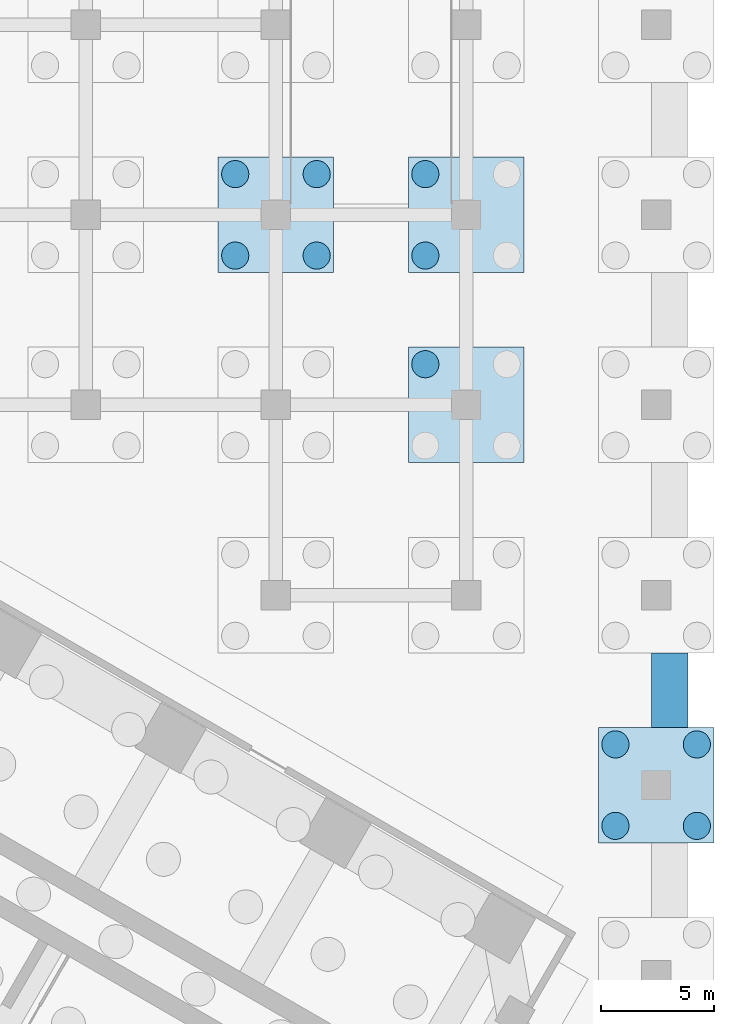
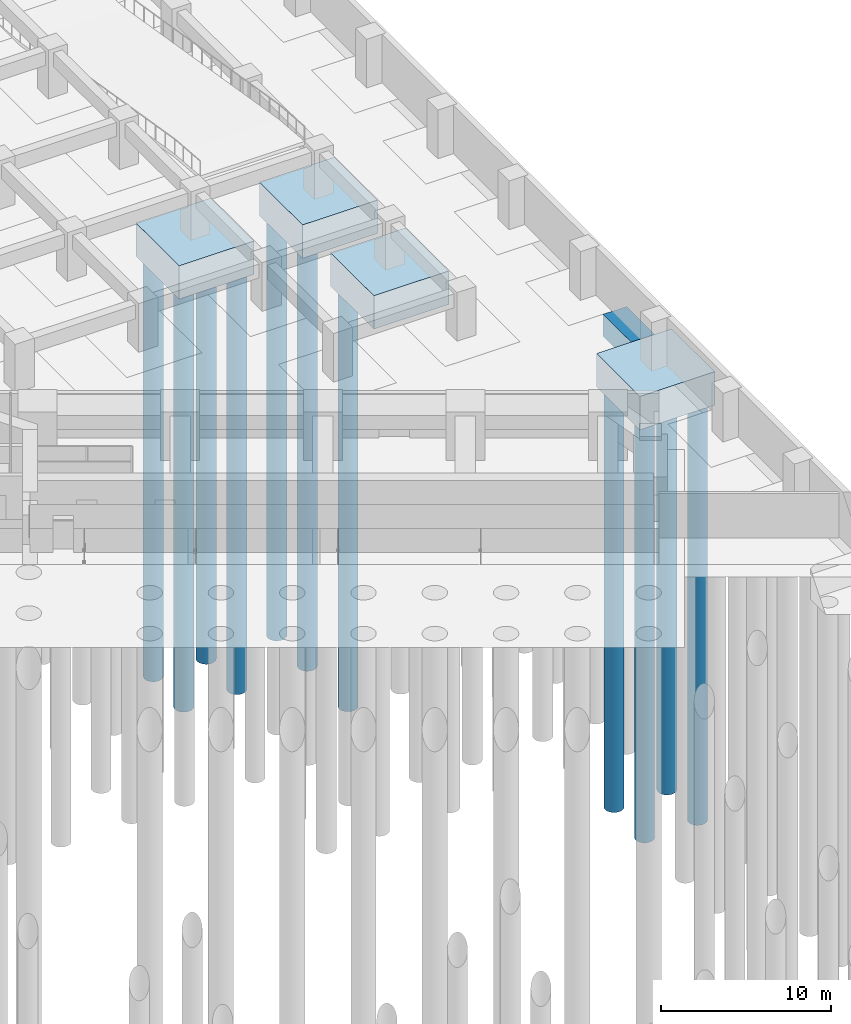
# One storey, part 29 of 73: 11 piles, 5 footings.
"""IFC4 building model written with IfcOpenShell, lengths in metres."""

import ifcopenshell
import ifcopenshell.guid

model = None  # the IFC model being written
_history = None  # IfcOwnerHistory: only IFC2X3 demands one
_inside = {}  # id of a spatial element -> (the spatial element, [elements in it])
_under = {}  # id of a project, library or spatial element -> (it, [spatial elements below it])
_declared = {}  # id of a project -> (the project, [libraries it declares])
_typed = {}  # id of a type object -> (the type object, [elements of that type])
_made_of = {}  # id of a material, layer set ... -> (it, [elements and type objects made of it])


def new_model(schema):
    """Start an empty IFC model of exactly this schema.

    Asked for "IFC4X3", IfcOpenShell would pick the latest addendum, in which some entities
    have other attributes; the version numbers below select the first issue.
    IFC2X3 requires an IfcOwnerHistory on every rooted entity: one is made here for all.
    """
    global model, _history
    if schema == "IFC4X3":
        model = ifcopenshell.file(schema_version=(4, 3, 0, 0))
    else:
        model = ifcopenshell.file(schema=schema)
    _inside.clear()
    _under.clear()
    _declared.clear()
    _typed.clear()
    _made_of.clear()
    _history = None
    if model.schema == "IFC2X3":
        org = make("IfcOrganization", Name="unknown")
        user = make(
            "IfcPersonAndOrganization",
            ThePerson=make("IfcPerson", FamilyName="unknown"),
            TheOrganization=org,
        )
        app = make(
            "IfcApplication",
            ApplicationDeveloper=org,
            Version="unknown",
            ApplicationFullName="unknown",
            ApplicationIdentifier="unknown",
        )
        _history = make(
            "IfcOwnerHistory",
            OwningUser=user,
            OwningApplication=app,
            ChangeAction="ADDED",
            CreationDate=0,
        )
    return model


def make(cls, **values):
    """One entity of the class cls with the attributes given. An attribute that is None is left unset."""
    return model.create_entity(
        cls, **{name: value for name, value in values.items() if value is not None}
    )


def rooted(cls, **values):
    """An entity with a GlobalId (a new one), such as an element, a storey or a relation."""
    return make(cls, GlobalId=ifcopenshell.guid.new(), OwnerHistory=_history, **values)


def si_unit(unit_type, name, prefix=None):
    """IfcSIUnit, for example si_unit("LENGTHUNIT", "METRE", prefix="MILLI")."""
    return make("IfcSIUnit", UnitType=unit_type, Prefix=prefix, Name=name)


def assignment(units):
    """IfcUnitAssignment: the units of a project."""
    return None if units is None else make("IfcUnitAssignment", Units=units)


def point(xyz):
    """IfcCartesianPoint."""
    return None if xyz is None else make("IfcCartesianPoint", Coordinates=xyz)


def direction(xyz):
    """IfcDirection."""
    return None if xyz is None else make("IfcDirection", DirectionRatios=xyz)


def frame(location, z_axis=None, x_axis=None):
    """IfcAxis2Placement3D, a coordinate frame: its origin and axes. An axis left out is left unset."""
    return make(
        "IfcAxis2Placement3D",
        Location=point(location),
        Axis=direction(z_axis),
        RefDirection=direction(x_axis),
    )


def frame_2d(location, x_axis=None):
    """IfcAxis2Placement2D, a coordinate frame in the plane: its origin and x axis."""
    return make(
        "IfcAxis2Placement2D", Location=point(location), RefDirection=direction(x_axis)
    )


def origin():
    """The frame at (0, 0, 0) with its axes left unset."""
    return frame((0.0, 0.0, 0.0))


def origin_2d():
    """The frame at (0, 0) in the plane with its x axis left unset."""
    return frame_2d((0.0, 0.0))


def place(relative_to, where):
    """IfcLocalPlacement: puts the frame where relative to a parent placement (None: the world)."""
    return make(
        "IfcLocalPlacement", PlacementRelTo=relative_to, RelativePlacement=where
    )


def context(
    kind, dimensions, precision=None, world=None, true_north=None, identifier=None
):
    """IfcGeometricRepresentationContext, for example the 3D "Model" context."""
    return make(
        "IfcGeometricRepresentationContext",
        ContextIdentifier=identifier,
        ContextType=kind,
        CoordinateSpaceDimension=dimensions,
        Precision=precision,
        WorldCoordinateSystem=world,
        TrueNorth=true_north,
    )


def subcontext(parent, identifier, kind, view, scale=None):
    """IfcGeometricRepresentationSubContext, for example "Body" below "Model"."""
    return make(
        "IfcGeometricRepresentationSubContext",
        ContextIdentifier=identifier,
        ContextType=kind,
        ParentContext=parent,
        TargetScale=scale,
        TargetView=view,
    )


def project(units=None, contexts=None):
    """IfcProject with its units and contexts."""
    return rooted(
        "IfcProject",
        Name="project",
        RepresentationContexts=contexts,
        UnitsInContext=assignment(units),
    )


def spatial(cls, under=None, at=None, **own):
    """A site, building, storey or space (cls), placed at a placement, below another one or the project."""
    s = rooted(cls, ObjectPlacement=at, **own)
    if under is not None:
        _under.setdefault(under.id(), (under, []))[1].append(s)
    return s


def polyline(points):
    """IfcPolyline through the points."""
    return make("IfcPolyline", Points=[point(p) for p in points])


def profile(cls, at=None, kind="AREA", **sizes):
    """A parametric profile (cls). Its sizes go by their IFC names, for example OverallWidth=200.0."""
    return make(cls, ProfileType=kind, Position=at, **sizes)


def circle(**sizes):
    """IfcCircleProfileDef."""
    return profile("IfcCircleProfileDef", **sizes)


def outline(outer, holes=None, kind="AREA"):
    """IfcArbitraryClosedProfileDef: a profile drawn as a closed curve; with holes, ...WithVoids."""
    if holes is None:
        return make("IfcArbitraryClosedProfileDef", ProfileType=kind, OuterCurve=outer)
    return make(
        "IfcArbitraryProfileDefWithVoids",
        ProfileType=kind,
        OuterCurve=outer,
        InnerCurves=holes,
    )


def extrude(swept, where, along, depth):
    """IfcExtrudedAreaSolid: the profile swept, set in the frame where, extruded along a direction by depth."""
    return make(
        "IfcExtrudedAreaSolid",
        SweptArea=swept,
        Position=where,
        ExtrudedDirection=direction(along),
        Depth=depth,
    )


def shape(context_of_items, identifier, shape_type, items):
    """IfcShapeRepresentation: the items that make up one representation, for example the "Body"."""
    return make(
        "IfcShapeRepresentation",
        ContextOfItems=context_of_items,
        RepresentationIdentifier=identifier,
        RepresentationType=shape_type,
        Items=items,
    )


def material(Name=None, Category=None):
    """IfcMaterial."""
    return make("IfcMaterial", Name=Name, Category=Category)


def material_profile(
    of_material, cross_section, Name=None, Category=None, Priority=None
):
    """IfcMaterialProfile: a cross section and its material."""
    return make(
        "IfcMaterialProfile",
        Name=Name,
        Material=of_material,
        Profile=cross_section,
        Priority=Priority,
        Category=Category,
    )


def profile_set(profiles, Name=None, composite=None):
    """IfcMaterialProfileSet."""
    return make(
        "IfcMaterialProfileSet",
        Name=Name,
        MaterialProfiles=profiles,
        CompositeProfile=composite,
    )


def made_of(thing, what):
    """Note that an element or type object is made of a material, layer set ...; save() writes the relation."""
    if what is not None:
        _made_of.setdefault(what.id(), (what, []))[1].append(thing)
    return thing


def type_object(cls, material=None, **own):
    """A type object (cls), such as IfcWallType, which elements share."""
    return made_of(rooted(cls, **own), material)


def element(
    cls,
    number,
    at=None,
    inside=None,
    cuts=None,
    type_object=None,
    material=None,
    context=None,
    identifier="Body",
    shape_type=None,
    held_by="IfcProductDefinitionShape",
    body=None,
    shapes=None,
    **own,
):
    """One element of the class cls, such as IfcWall. Its Tag is "e" and its number.

    at: its placement. inside: the storey or other place that contains it. cuts: it is an
    opening in that element (IfcRelVoidsElement). A single representation is given by context,
    identifier, shape_type and body (its items); several are given by shapes. held_by: the class
    of the entity that holds the representations. save() writes the other relations.
    """
    e = rooted(cls, Tag="e%d" % number, ObjectPlacement=at, **own)
    if body is not None:
        shapes = [shape(context, identifier, shape_type, body)]
    if shapes is not None:
        e.Representation = make(held_by, Representations=shapes)
    if inside is not None:
        _inside.setdefault(inside.id(), (inside, []))[1].append(e)
    if cuts is not None:
        rooted(
            "IfcRelVoidsElement", RelatingBuildingElement=cuts, RelatedOpeningElement=e
        )
    if type_object is not None:
        _typed.setdefault(type_object.id(), (type_object, []))[1].append(e)
    return made_of(e, material)


def aggregate(whole, parts):
    """IfcRelAggregates: a whole, such as a stair, and the parts it consists of."""
    return rooted("IfcRelAggregates", RelatingObject=whole, RelatedObjects=parts)


def save(model, path):
    """Write the relations noted so far, then the file.

    IfcRelAggregates (storeys below a building ...), IfcRelContainedInSpatialStructure (elements
    in a storey), IfcRelDefinesByType, IfcRelAssociatesMaterial and IfcRelDeclares: one each for
    every whole, place, type object, material and project.
    """
    for whole, parts in _under.values():
        aggregate(whole, parts)
    for where, things in _inside.values():
        rooted(
            "IfcRelContainedInSpatialStructure",
            RelatedElements=things,
            RelatingStructure=where,
        )
    for kind, things in _typed.values():
        rooted("IfcRelDefinesByType", RelatedObjects=things, RelatingType=kind)
    for what, things in _made_of.values():
        rooted("IfcRelAssociatesMaterial", RelatedObjects=things, RelatingMaterial=what)
    for by, libraries in _declared.values():
        rooted("IfcRelDeclares", RelatingContext=by, RelatedDefinitions=libraries)
    model.write(path)


model = new_model("IFC4")

# Units and contexts
model_context = context("Model", 3, precision=1e-05, world=origin(), true_north=direction((0.0, 1.0)))
body_context = subcontext(model_context, "Body", "Model", "MODEL_VIEW")
ifc_project = project(units=[si_unit("LENGTHUNIT", "METRE"), si_unit("AREAUNIT", "SQUARE_METRE"), si_unit("VOLUMEUNIT", "CUBIC_METRE"), si_unit("PLANEANGLEUNIT", "RADIAN"), si_unit("MASSUNIT", "GRAM", prefix="KILO")], contexts=[model_context])

# Site, building, storey
site_placement = place(None, origin())
site = spatial("IfcSite", under=ifc_project, at=site_placement, CompositionType="ELEMENT")
building_placement = place(site_placement, origin())
building = spatial("IfcBuilding", under=site, at=building_placement, Name="Impinga Residences", CompositionType="ELEMENT")
storey_placement = place(building_placement, frame((0.0, 0.0, -10.5)))
storey = spatial("IfcBuildingStorey", under=building, at=storey_placement, Name="B3", CompositionType="ELEMENT", Elevation=-10.5)

# Piles
ifc_material_1 = material(Name="Concrete C35/45", Category="concrete")
ifc_material_profile = material_profile(ifc_material_1, circle(Radius=0.60009765625, at=origin_2d()), Name="D1200")
ifc_profile_set = profile_set([ifc_material_profile], Name="Concrete C35/45")
pile_type = type_object("IfcPileType", Name="BP2 bored pile D1200", PredefinedType="BORED", material=ifc_profile_set)
pile_1_placement = place(storey_placement, frame((31.800048828125, 15.0, -2.39990234375), z_axis=(0.0, 0.0, -1.0), x_axis=(1.0, 0.0, 0.0)))
element("IfcPile", 1, at=pile_1_placement, inside=storey, type_object=pile_type, Name="Cap pile BP2 11/H-1", PredefinedType="BORED", context=body_context, shape_type="SweptSolid", body=[
    extrude(outline(polyline([(0.60009765625, 0.0), (0.59716796875, 0.058837890625), (0.58837890625, 0.116943359375), (0.57421875, 0.174072265625), (0.554443359375, 0.2294921875), (0.529052734375, 0.282958984375), (0.498779296875, 0.333251953125), (0.4638671875, 0.380615234375), (0.42431640625, 0.42431640625), (0.380615234375, 0.4638671875), (0.333251953125, 0.498779296875), (0.282958984375, 0.529052734375), (0.2294921875, 0.554443359375), (0.174072265625, 0.57421875), (0.116943359375, 0.58837890625), (0.058837890625, 0.59716796875), (0.0, 0.60009765625), (-0.058837890625, 0.59716796875), (-0.116943359375, 0.58837890625), (-0.174072265625, 0.57421875), (-0.2294921875, 0.554443359375), (-0.282958984375, 0.529052734375), (-0.333251953125, 0.498779296875), (-0.380615234375, 0.4638671875), (-0.42431640625, 0.42431640625), (-0.4638671875, 0.380615234375), (-0.498779296875, 0.333251953125), (-0.529052734375, 0.282958984375), (-0.554443359375, 0.2294921875), (-0.57421875, 0.174072265625), (-0.58837890625, 0.116943359375), (-0.59716796875, 0.058837890625), (-0.60009765625, 0.0), (-0.59716796875, -0.058837890625), (-0.58837890625, -0.116943359375), (-0.57421875, -0.174072265625), (-0.554443359375, -0.2294921875), (-0.529052734375, -0.282958984375), (-0.498779296875, -0.333251953125), (-0.4638671875, -0.380615234375), (-0.42431640625, -0.42431640625), (-0.380615234375, -0.4638671875), (-0.333251953125, -0.498779296875), (-0.282958984375, -0.529052734375), (-0.2294921875, -0.554443359375), (-0.174072265625, -0.57421875), (-0.116943359375, -0.58837890625), (-0.058837890625, -0.59716796875), (0.0, -0.60009765625), (0.058837890625, -0.59716796875), (0.116943359375, -0.58837890625), (0.174072265625, -0.57421875), (0.2294921875, -0.554443359375), (0.282958984375, -0.529052734375), (0.333251953125, -0.498779296875), (0.380615234375, -0.4638671875), (0.42431640625, -0.42431640625), (0.4638671875, -0.380615234375), (0.498779296875, -0.333251953125), (0.529052734375, -0.282958984375), (0.554443359375, -0.2294921875), (0.57421875, -0.174072265625), (0.58837890625, -0.116943359375), (0.59716796875, -0.058837890625), (0.60009765625, 0.0)])), origin(), (0.0, 0.0, 1.0), 30.0),
])
pile_2_placement = place(storey_placement, frame((35.39990234375, 15.0, -2.39990234375), z_axis=(0.0, 0.0, -1.0), x_axis=(1.0, 0.0, 0.0)))
element("IfcPile", 2, at=pile_2_placement, inside=storey, type_object=pile_type, Name="Cap pile BP2 11/H-2", PredefinedType="BORED", context=body_context, shape_type="SweptSolid", body=[
    extrude(outline(polyline([(0.60009765625, 0.0), (0.59716796875, 0.058837890625), (0.58837890625, 0.116943359375), (0.57421875, 0.174072265625), (0.554443359375, 0.2294921875), (0.529052734375, 0.282958984375), (0.498779296875, 0.333251953125), (0.4638671875, 0.380615234375), (0.42431640625, 0.42431640625), (0.380615234375, 0.4638671875), (0.333251953125, 0.498779296875), (0.282958984375, 0.529052734375), (0.2294921875, 0.554443359375), (0.174072265625, 0.57421875), (0.116943359375, 0.58837890625), (0.058837890625, 0.59716796875), (0.0, 0.60009765625), (-0.058837890625, 0.59716796875), (-0.116943359375, 0.58837890625), (-0.174072265625, 0.57421875), (-0.2294921875, 0.554443359375), (-0.282958984375, 0.529052734375), (-0.333251953125, 0.498779296875), (-0.380615234375, 0.4638671875), (-0.42431640625, 0.42431640625), (-0.4638671875, 0.380615234375), (-0.498779296875, 0.333251953125), (-0.529052734375, 0.282958984375), (-0.554443359375, 0.2294921875), (-0.57421875, 0.174072265625), (-0.58837890625, 0.116943359375), (-0.59716796875, 0.058837890625), (-0.60009765625, 0.0), (-0.59716796875, -0.058837890625), (-0.58837890625, -0.116943359375), (-0.57421875, -0.174072265625), (-0.554443359375, -0.2294921875), (-0.529052734375, -0.282958984375), (-0.498779296875, -0.333251953125), (-0.4638671875, -0.380615234375), (-0.42431640625, -0.42431640625), (-0.380615234375, -0.4638671875), (-0.333251953125, -0.498779296875), (-0.282958984375, -0.529052734375), (-0.2294921875, -0.554443359375), (-0.174072265625, -0.57421875), (-0.116943359375, -0.58837890625), (-0.058837890625, -0.59716796875), (0.0, -0.60009765625), (0.058837890625, -0.59716796875), (0.116943359375, -0.58837890625), (0.174072265625, -0.57421875), (0.2294921875, -0.554443359375), (0.282958984375, -0.529052734375), (0.333251953125, -0.498779296875), (0.380615234375, -0.4638671875), (0.42431640625, -0.42431640625), (0.4638671875, -0.380615234375), (0.498779296875, -0.333251953125), (0.529052734375, -0.282958984375), (0.554443359375, -0.2294921875), (0.57421875, -0.174072265625), (0.58837890625, -0.116943359375), (0.59716796875, -0.058837890625), (0.60009765625, 0.0)])), origin(), (0.0, 0.0, 1.0), 30.0),
])
pile_3_placement = place(storey_placement, frame((35.39990234375, 18.60009765625, -2.39990234375), z_axis=(0.0, 0.0, -1.0), x_axis=(1.0, 0.0, 0.0)))
element("IfcPile", 3, at=pile_3_placement, inside=storey, type_object=pile_type, Name="Cap pile BP2 11/H-3", PredefinedType="BORED", context=body_context, shape_type="SweptSolid", body=[
    extrude(outline(polyline([(0.60009765625, 0.0), (0.59716796875, 0.058837890625), (0.58837890625, 0.116943359375), (0.57421875, 0.174072265625), (0.554443359375, 0.2294921875), (0.529052734375, 0.282958984375), (0.498779296875, 0.333251953125), (0.4638671875, 0.380615234375), (0.42431640625, 0.42431640625), (0.380615234375, 0.4638671875), (0.333251953125, 0.498779296875), (0.282958984375, 0.529052734375), (0.2294921875, 0.554443359375), (0.174072265625, 0.57421875), (0.116943359375, 0.58837890625), (0.058837890625, 0.59716796875), (0.0, 0.60009765625), (-0.058837890625, 0.59716796875), (-0.116943359375, 0.58837890625), (-0.174072265625, 0.57421875), (-0.2294921875, 0.554443359375), (-0.282958984375, 0.529052734375), (-0.333251953125, 0.498779296875), (-0.380615234375, 0.4638671875), (-0.42431640625, 0.42431640625), (-0.4638671875, 0.380615234375), (-0.498779296875, 0.333251953125), (-0.529052734375, 0.282958984375), (-0.554443359375, 0.2294921875), (-0.57421875, 0.174072265625), (-0.58837890625, 0.116943359375), (-0.59716796875, 0.058837890625), (-0.60009765625, 0.0), (-0.59716796875, -0.058837890625), (-0.58837890625, -0.116943359375), (-0.57421875, -0.174072265625), (-0.554443359375, -0.2294921875), (-0.529052734375, -0.282958984375), (-0.498779296875, -0.333251953125), (-0.4638671875, -0.380615234375), (-0.42431640625, -0.42431640625), (-0.380615234375, -0.4638671875), (-0.333251953125, -0.498779296875), (-0.282958984375, -0.529052734375), (-0.2294921875, -0.554443359375), (-0.174072265625, -0.57421875), (-0.116943359375, -0.58837890625), (-0.058837890625, -0.59716796875), (0.0, -0.60009765625), (0.058837890625, -0.59716796875), (0.116943359375, -0.58837890625), (0.174072265625, -0.57421875), (0.2294921875, -0.554443359375), (0.282958984375, -0.529052734375), (0.333251953125, -0.498779296875), (0.380615234375, -0.4638671875), (0.42431640625, -0.42431640625), (0.4638671875, -0.380615234375), (0.498779296875, -0.333251953125), (0.529052734375, -0.282958984375), (0.554443359375, -0.2294921875), (0.57421875, -0.174072265625), (0.58837890625, -0.116943359375), (0.59716796875, -0.058837890625), (0.60009765625, 0.0)])), origin(), (0.0, 0.0, 1.0), 30.0),
])
pile_4_placement = place(storey_placement, frame((31.800048828125, 18.60009765625, -2.39990234375), z_axis=(0.0, 0.0, -1.0), x_axis=(1.0, 0.0, 0.0)))
element("IfcPile", 4, at=pile_4_placement, inside=storey, type_object=pile_type, Name="Cap pile BP2 11/H-4", PredefinedType="BORED", context=body_context, shape_type="SweptSolid", body=[
    extrude(outline(polyline([(0.60009765625, 0.0), (0.59716796875, 0.058837890625), (0.58837890625, 0.116943359375), (0.57421875, 0.174072265625), (0.554443359375, 0.2294921875), (0.529052734375, 0.282958984375), (0.498779296875, 0.333251953125), (0.4638671875, 0.380615234375), (0.42431640625, 0.42431640625), (0.380615234375, 0.4638671875), (0.333251953125, 0.498779296875), (0.282958984375, 0.529052734375), (0.2294921875, 0.554443359375), (0.174072265625, 0.57421875), (0.116943359375, 0.58837890625), (0.058837890625, 0.59716796875), (0.0, 0.60009765625), (-0.058837890625, 0.59716796875), (-0.116943359375, 0.58837890625), (-0.174072265625, 0.57421875), (-0.2294921875, 0.554443359375), (-0.282958984375, 0.529052734375), (-0.333251953125, 0.498779296875), (-0.380615234375, 0.4638671875), (-0.42431640625, 0.42431640625), (-0.4638671875, 0.380615234375), (-0.498779296875, 0.333251953125), (-0.529052734375, 0.282958984375), (-0.554443359375, 0.2294921875), (-0.57421875, 0.174072265625), (-0.58837890625, 0.116943359375), (-0.59716796875, 0.058837890625), (-0.60009765625, 0.0), (-0.59716796875, -0.058837890625), (-0.58837890625, -0.116943359375), (-0.57421875, -0.174072265625), (-0.554443359375, -0.2294921875), (-0.529052734375, -0.282958984375), (-0.498779296875, -0.333251953125), (-0.4638671875, -0.380615234375), (-0.42431640625, -0.42431640625), (-0.380615234375, -0.4638671875), (-0.333251953125, -0.498779296875), (-0.282958984375, -0.529052734375), (-0.2294921875, -0.554443359375), (-0.174072265625, -0.57421875), (-0.116943359375, -0.58837890625), (-0.058837890625, -0.59716796875), (0.0, -0.60009765625), (0.058837890625, -0.59716796875), (0.116943359375, -0.58837890625), (0.174072265625, -0.57421875), (0.2294921875, -0.554443359375), (0.282958984375, -0.529052734375), (0.333251953125, -0.498779296875), (0.380615234375, -0.4638671875), (0.42431640625, -0.42431640625), (0.4638671875, -0.380615234375), (0.498779296875, -0.333251953125), (0.529052734375, -0.282958984375), (0.554443359375, -0.2294921875), (0.57421875, -0.174072265625), (0.58837890625, -0.116943359375), (0.59716796875, -0.058837890625), (0.60009765625, 0.0)])), origin(), (0.0, 0.0, 1.0), 30.0),
])
pile_5_placement = place(storey_placement, frame((40.199951171875, 10.199951171875, -2.39990234375), z_axis=(0.0, 0.0, -1.0), x_axis=(1.0, 0.0, 0.0)))
element("IfcPile", 5, at=pile_5_placement, inside=storey, type_object=pile_type, Name="Cap pile BP2 12/G-4", PredefinedType="BORED", context=body_context, shape_type="SweptSolid", body=[
    extrude(outline(polyline([(0.60009765625, 0.0), (0.59716796875, 0.058837890625), (0.58837890625, 0.116943359375), (0.57421875, 0.174072265625), (0.554443359375, 0.2294921875), (0.529052734375, 0.282958984375), (0.498779296875, 0.333251953125), (0.4638671875, 0.380615234375), (0.42431640625, 0.42431640625), (0.380615234375, 0.4638671875), (0.333251953125, 0.498779296875), (0.282958984375, 0.529052734375), (0.2294921875, 0.554443359375), (0.174072265625, 0.57421875), (0.116943359375, 0.58837890625), (0.058837890625, 0.59716796875), (0.0, 0.60009765625), (-0.058837890625, 0.59716796875), (-0.116943359375, 0.58837890625), (-0.174072265625, 0.57421875), (-0.2294921875, 0.554443359375), (-0.282958984375, 0.529052734375), (-0.333251953125, 0.498779296875), (-0.380615234375, 0.4638671875), (-0.42431640625, 0.42431640625), (-0.4638671875, 0.380615234375), (-0.498779296875, 0.333251953125), (-0.529052734375, 0.282958984375), (-0.554443359375, 0.2294921875), (-0.57421875, 0.174072265625), (-0.58837890625, 0.116943359375), (-0.59716796875, 0.058837890625), (-0.60009765625, 0.0), (-0.59716796875, -0.058837890625), (-0.58837890625, -0.116943359375), (-0.57421875, -0.174072265625), (-0.554443359375, -0.2294921875), (-0.529052734375, -0.282958984375), (-0.498779296875, -0.333251953125), (-0.4638671875, -0.380615234375), (-0.42431640625, -0.42431640625), (-0.380615234375, -0.4638671875), (-0.333251953125, -0.498779296875), (-0.282958984375, -0.529052734375), (-0.2294921875, -0.554443359375), (-0.174072265625, -0.57421875), (-0.116943359375, -0.58837890625), (-0.058837890625, -0.59716796875), (0.0, -0.60009765625), (0.058837890625, -0.59716796875), (0.116943359375, -0.58837890625), (0.174072265625, -0.57421875), (0.2294921875, -0.554443359375), (0.282958984375, -0.529052734375), (0.333251953125, -0.498779296875), (0.380615234375, -0.4638671875), (0.42431640625, -0.42431640625), (0.4638671875, -0.380615234375), (0.498779296875, -0.333251953125), (0.529052734375, -0.282958984375), (0.554443359375, -0.2294921875), (0.57421875, -0.174072265625), (0.58837890625, -0.116943359375), (0.59716796875, -0.058837890625), (0.60009765625, 0.0)])), origin(), (0.0, 0.0, 1.0), 30.0),
])
pile_6_placement = place(storey_placement, frame((40.199951171875, 15.0, -2.39990234375), z_axis=(0.0, 0.0, -1.0), x_axis=(1.0, 0.0, 0.0)))
element("IfcPile", 6, at=pile_6_placement, inside=storey, type_object=pile_type, Name="Cap pile BP2 12/H-1", PredefinedType="BORED", context=body_context, shape_type="SweptSolid", body=[
    extrude(outline(polyline([(0.60009765625, 0.0), (0.59716796875, 0.058837890625), (0.58837890625, 0.116943359375), (0.57421875, 0.174072265625), (0.554443359375, 0.2294921875), (0.529052734375, 0.282958984375), (0.498779296875, 0.333251953125), (0.4638671875, 0.380615234375), (0.42431640625, 0.42431640625), (0.380615234375, 0.4638671875), (0.333251953125, 0.498779296875), (0.282958984375, 0.529052734375), (0.2294921875, 0.554443359375), (0.174072265625, 0.57421875), (0.116943359375, 0.58837890625), (0.058837890625, 0.59716796875), (0.0, 0.60009765625), (-0.058837890625, 0.59716796875), (-0.116943359375, 0.58837890625), (-0.174072265625, 0.57421875), (-0.2294921875, 0.554443359375), (-0.282958984375, 0.529052734375), (-0.333251953125, 0.498779296875), (-0.380615234375, 0.4638671875), (-0.42431640625, 0.42431640625), (-0.4638671875, 0.380615234375), (-0.498779296875, 0.333251953125), (-0.529052734375, 0.282958984375), (-0.554443359375, 0.2294921875), (-0.57421875, 0.174072265625), (-0.58837890625, 0.116943359375), (-0.59716796875, 0.058837890625), (-0.60009765625, 0.0), (-0.59716796875, -0.058837890625), (-0.58837890625, -0.116943359375), (-0.57421875, -0.174072265625), (-0.554443359375, -0.2294921875), (-0.529052734375, -0.282958984375), (-0.498779296875, -0.333251953125), (-0.4638671875, -0.380615234375), (-0.42431640625, -0.42431640625), (-0.380615234375, -0.4638671875), (-0.333251953125, -0.498779296875), (-0.282958984375, -0.529052734375), (-0.2294921875, -0.554443359375), (-0.174072265625, -0.57421875), (-0.116943359375, -0.58837890625), (-0.058837890625, -0.59716796875), (0.0, -0.60009765625), (0.058837890625, -0.59716796875), (0.116943359375, -0.58837890625), (0.174072265625, -0.57421875), (0.2294921875, -0.554443359375), (0.282958984375, -0.529052734375), (0.333251953125, -0.498779296875), (0.380615234375, -0.4638671875), (0.42431640625, -0.42431640625), (0.4638671875, -0.380615234375), (0.498779296875, -0.333251953125), (0.529052734375, -0.282958984375), (0.554443359375, -0.2294921875), (0.57421875, -0.174072265625), (0.58837890625, -0.116943359375), (0.59716796875, -0.058837890625), (0.60009765625, 0.0)])), origin(), (0.0, 0.0, 1.0), 30.0),
])
pile_7_placement = place(storey_placement, frame((40.199951171875, 18.60009765625, -2.39990234375), z_axis=(0.0, 0.0, -1.0), x_axis=(1.0, 0.0, 0.0)))
element("IfcPile", 7, at=pile_7_placement, inside=storey, type_object=pile_type, Name="Cap pile BP2 12/H-4", PredefinedType="BORED", context=body_context, shape_type="SweptSolid", body=[
    extrude(outline(polyline([(0.60009765625, 0.0), (0.59716796875, 0.058837890625), (0.58837890625, 0.116943359375), (0.57421875, 0.174072265625), (0.554443359375, 0.2294921875), (0.529052734375, 0.282958984375), (0.498779296875, 0.333251953125), (0.4638671875, 0.380615234375), (0.42431640625, 0.42431640625), (0.380615234375, 0.4638671875), (0.333251953125, 0.498779296875), (0.282958984375, 0.529052734375), (0.2294921875, 0.554443359375), (0.174072265625, 0.57421875), (0.116943359375, 0.58837890625), (0.058837890625, 0.59716796875), (0.0, 0.60009765625), (-0.058837890625, 0.59716796875), (-0.116943359375, 0.58837890625), (-0.174072265625, 0.57421875), (-0.2294921875, 0.554443359375), (-0.282958984375, 0.529052734375), (-0.333251953125, 0.498779296875), (-0.380615234375, 0.4638671875), (-0.42431640625, 0.42431640625), (-0.4638671875, 0.380615234375), (-0.498779296875, 0.333251953125), (-0.529052734375, 0.282958984375), (-0.554443359375, 0.2294921875), (-0.57421875, 0.174072265625), (-0.58837890625, 0.116943359375), (-0.59716796875, 0.058837890625), (-0.60009765625, 0.0), (-0.59716796875, -0.058837890625), (-0.58837890625, -0.116943359375), (-0.57421875, -0.174072265625), (-0.554443359375, -0.2294921875), (-0.529052734375, -0.282958984375), (-0.498779296875, -0.333251953125), (-0.4638671875, -0.380615234375), (-0.42431640625, -0.42431640625), (-0.380615234375, -0.4638671875), (-0.333251953125, -0.498779296875), (-0.282958984375, -0.529052734375), (-0.2294921875, -0.554443359375), (-0.174072265625, -0.57421875), (-0.116943359375, -0.58837890625), (-0.058837890625, -0.59716796875), (0.0, -0.60009765625), (0.058837890625, -0.59716796875), (0.116943359375, -0.58837890625), (0.174072265625, -0.57421875), (0.2294921875, -0.554443359375), (0.282958984375, -0.529052734375), (0.333251953125, -0.498779296875), (0.380615234375, -0.4638671875), (0.42431640625, -0.42431640625), (0.4638671875, -0.380615234375), (0.498779296875, -0.333251953125), (0.529052734375, -0.282958984375), (0.554443359375, -0.2294921875), (0.57421875, -0.174072265625), (0.58837890625, -0.116943359375), (0.59716796875, -0.058837890625), (0.60009765625, 0.0)])), origin(), (0.0, 0.0, 1.0), 30.0),
])
pile_8_placement = place(storey_placement, frame((48.60009765625, -10.199951171875, -2.39990234375), z_axis=(0.0, 0.0, -1.0), x_axis=(1.0, 0.0, 0.0)))
element("IfcPile", 8, at=pile_8_placement, inside=storey, type_object=pile_type, Name="Cap pile BP2 13/E-1", PredefinedType="BORED", context=body_context, shape_type="SweptSolid", body=[
    extrude(outline(polyline([(0.60009765625, 0.0), (0.59716796875, 0.058837890625), (0.58837890625, 0.116943359375), (0.57421875, 0.174072265625), (0.554443359375, 0.2294921875), (0.529052734375, 0.282958984375), (0.498779296875, 0.333251953125), (0.4638671875, 0.380615234375), (0.42431640625, 0.42431640625), (0.380615234375, 0.4638671875), (0.333251953125, 0.498779296875), (0.282958984375, 0.529052734375), (0.2294921875, 0.554443359375), (0.174072265625, 0.57421875), (0.116943359375, 0.58837890625), (0.058837890625, 0.59716796875), (0.0, 0.60009765625), (-0.058837890625, 0.59716796875), (-0.116943359375, 0.58837890625), (-0.174072265625, 0.57421875), (-0.2294921875, 0.554443359375), (-0.282958984375, 0.529052734375), (-0.333251953125, 0.498779296875), (-0.380615234375, 0.4638671875), (-0.42431640625, 0.42431640625), (-0.4638671875, 0.380615234375), (-0.498779296875, 0.333251953125), (-0.529052734375, 0.282958984375), (-0.554443359375, 0.2294921875), (-0.57421875, 0.174072265625), (-0.58837890625, 0.116943359375), (-0.59716796875, 0.058837890625), (-0.60009765625, 0.0), (-0.59716796875, -0.058837890625), (-0.58837890625, -0.116943359375), (-0.57421875, -0.174072265625), (-0.554443359375, -0.2294921875), (-0.529052734375, -0.282958984375), (-0.498779296875, -0.333251953125), (-0.4638671875, -0.380615234375), (-0.42431640625, -0.42431640625), (-0.380615234375, -0.4638671875), (-0.333251953125, -0.498779296875), (-0.282958984375, -0.529052734375), (-0.2294921875, -0.554443359375), (-0.174072265625, -0.57421875), (-0.116943359375, -0.58837890625), (-0.058837890625, -0.59716796875), (0.0, -0.60009765625), (0.058837890625, -0.59716796875), (0.116943359375, -0.58837890625), (0.174072265625, -0.57421875), (0.2294921875, -0.554443359375), (0.282958984375, -0.529052734375), (0.333251953125, -0.498779296875), (0.380615234375, -0.4638671875), (0.42431640625, -0.42431640625), (0.4638671875, -0.380615234375), (0.498779296875, -0.333251953125), (0.529052734375, -0.282958984375), (0.554443359375, -0.2294921875), (0.57421875, -0.174072265625), (0.58837890625, -0.116943359375), (0.59716796875, -0.058837890625), (0.60009765625, 0.0)])), origin(), (0.0, 0.0, 1.0), 30.0),
])
pile_9_placement = place(storey_placement, frame((52.199951171875, -10.199951171875, -2.39990234375), z_axis=(0.0, 0.0, -1.0), x_axis=(1.0, 0.0, 0.0)))
element("IfcPile", 9, at=pile_9_placement, inside=storey, type_object=pile_type, Name="Cap pile BP2 13/E-2", PredefinedType="BORED", context=body_context, shape_type="SweptSolid", body=[
    extrude(outline(polyline([(0.60009765625, 0.0), (0.59716796875, 0.058837890625), (0.58837890625, 0.116943359375), (0.57421875, 0.174072265625), (0.554443359375, 0.2294921875), (0.529052734375, 0.282958984375), (0.498779296875, 0.333251953125), (0.4638671875, 0.380615234375), (0.42431640625, 0.42431640625), (0.380615234375, 0.4638671875), (0.333251953125, 0.498779296875), (0.282958984375, 0.529052734375), (0.2294921875, 0.554443359375), (0.174072265625, 0.57421875), (0.116943359375, 0.58837890625), (0.058837890625, 0.59716796875), (0.0, 0.60009765625), (-0.058837890625, 0.59716796875), (-0.116943359375, 0.58837890625), (-0.174072265625, 0.57421875), (-0.2294921875, 0.554443359375), (-0.282958984375, 0.529052734375), (-0.333251953125, 0.498779296875), (-0.380615234375, 0.4638671875), (-0.42431640625, 0.42431640625), (-0.4638671875, 0.380615234375), (-0.498779296875, 0.333251953125), (-0.529052734375, 0.282958984375), (-0.554443359375, 0.2294921875), (-0.57421875, 0.174072265625), (-0.58837890625, 0.116943359375), (-0.59716796875, 0.058837890625), (-0.60009765625, 0.0), (-0.59716796875, -0.058837890625), (-0.58837890625, -0.116943359375), (-0.57421875, -0.174072265625), (-0.554443359375, -0.2294921875), (-0.529052734375, -0.282958984375), (-0.498779296875, -0.333251953125), (-0.4638671875, -0.380615234375), (-0.42431640625, -0.42431640625), (-0.380615234375, -0.4638671875), (-0.333251953125, -0.498779296875), (-0.282958984375, -0.529052734375), (-0.2294921875, -0.554443359375), (-0.174072265625, -0.57421875), (-0.116943359375, -0.58837890625), (-0.058837890625, -0.59716796875), (0.0, -0.60009765625), (0.058837890625, -0.59716796875), (0.116943359375, -0.58837890625), (0.174072265625, -0.57421875), (0.2294921875, -0.554443359375), (0.282958984375, -0.529052734375), (0.333251953125, -0.498779296875), (0.380615234375, -0.4638671875), (0.42431640625, -0.42431640625), (0.4638671875, -0.380615234375), (0.498779296875, -0.333251953125), (0.529052734375, -0.282958984375), (0.554443359375, -0.2294921875), (0.57421875, -0.174072265625), (0.58837890625, -0.116943359375), (0.59716796875, -0.058837890625), (0.60009765625, 0.0)])), origin(), (0.0, 0.0, 1.0), 30.0),
])
pile_10_placement = place(storey_placement, frame((52.199951171875, -6.60009765625, -2.39990234375), z_axis=(0.0, 0.0, -1.0), x_axis=(1.0, 0.0, 0.0)))
element("IfcPile", 10, at=pile_10_placement, inside=storey, type_object=pile_type, Name="Cap pile BP2 13/E-3", PredefinedType="BORED", context=body_context, shape_type="SweptSolid", body=[
    extrude(outline(polyline([(0.60009765625, 0.0), (0.59716796875, 0.058837890625), (0.58837890625, 0.116943359375), (0.57421875, 0.174072265625), (0.554443359375, 0.2294921875), (0.529052734375, 0.282958984375), (0.498779296875, 0.333251953125), (0.4638671875, 0.380615234375), (0.42431640625, 0.42431640625), (0.380615234375, 0.4638671875), (0.333251953125, 0.498779296875), (0.282958984375, 0.529052734375), (0.2294921875, 0.554443359375), (0.174072265625, 0.57421875), (0.116943359375, 0.58837890625), (0.058837890625, 0.59716796875), (0.0, 0.60009765625), (-0.058837890625, 0.59716796875), (-0.116943359375, 0.58837890625), (-0.174072265625, 0.57421875), (-0.2294921875, 0.554443359375), (-0.282958984375, 0.529052734375), (-0.333251953125, 0.498779296875), (-0.380615234375, 0.4638671875), (-0.42431640625, 0.42431640625), (-0.4638671875, 0.380615234375), (-0.498779296875, 0.333251953125), (-0.529052734375, 0.282958984375), (-0.554443359375, 0.2294921875), (-0.57421875, 0.174072265625), (-0.58837890625, 0.116943359375), (-0.59716796875, 0.058837890625), (-0.60009765625, 0.0), (-0.59716796875, -0.058837890625), (-0.58837890625, -0.116943359375), (-0.57421875, -0.174072265625), (-0.554443359375, -0.2294921875), (-0.529052734375, -0.282958984375), (-0.498779296875, -0.333251953125), (-0.4638671875, -0.380615234375), (-0.42431640625, -0.42431640625), (-0.380615234375, -0.4638671875), (-0.333251953125, -0.498779296875), (-0.282958984375, -0.529052734375), (-0.2294921875, -0.554443359375), (-0.174072265625, -0.57421875), (-0.116943359375, -0.58837890625), (-0.058837890625, -0.59716796875), (0.0, -0.60009765625), (0.058837890625, -0.59716796875), (0.116943359375, -0.58837890625), (0.174072265625, -0.57421875), (0.2294921875, -0.554443359375), (0.282958984375, -0.529052734375), (0.333251953125, -0.498779296875), (0.380615234375, -0.4638671875), (0.42431640625, -0.42431640625), (0.4638671875, -0.380615234375), (0.498779296875, -0.333251953125), (0.529052734375, -0.282958984375), (0.554443359375, -0.2294921875), (0.57421875, -0.174072265625), (0.58837890625, -0.116943359375), (0.59716796875, -0.058837890625), (0.60009765625, 0.0)])), origin(), (0.0, 0.0, 1.0), 30.0),
])
pile_11_placement = place(storey_placement, frame((48.60009765625, -6.60009765625, -2.39990234375), z_axis=(0.0, 0.0, -1.0), x_axis=(1.0, 0.0, 0.0)))
element("IfcPile", 11, at=pile_11_placement, inside=storey, type_object=pile_type, Name="Cap pile BP2 13/E-4", PredefinedType="BORED", context=body_context, shape_type="SweptSolid", body=[
    extrude(outline(polyline([(0.60009765625, 0.0), (0.59716796875, 0.058837890625), (0.58837890625, 0.116943359375), (0.57421875, 0.174072265625), (0.554443359375, 0.2294921875), (0.529052734375, 0.282958984375), (0.498779296875, 0.333251953125), (0.4638671875, 0.380615234375), (0.42431640625, 0.42431640625), (0.380615234375, 0.4638671875), (0.333251953125, 0.498779296875), (0.282958984375, 0.529052734375), (0.2294921875, 0.554443359375), (0.174072265625, 0.57421875), (0.116943359375, 0.58837890625), (0.058837890625, 0.59716796875), (0.0, 0.60009765625), (-0.058837890625, 0.59716796875), (-0.116943359375, 0.58837890625), (-0.174072265625, 0.57421875), (-0.2294921875, 0.554443359375), (-0.282958984375, 0.529052734375), (-0.333251953125, 0.498779296875), (-0.380615234375, 0.4638671875), (-0.42431640625, 0.42431640625), (-0.4638671875, 0.380615234375), (-0.498779296875, 0.333251953125), (-0.529052734375, 0.282958984375), (-0.554443359375, 0.2294921875), (-0.57421875, 0.174072265625), (-0.58837890625, 0.116943359375), (-0.59716796875, 0.058837890625), (-0.60009765625, 0.0), (-0.59716796875, -0.058837890625), (-0.58837890625, -0.116943359375), (-0.57421875, -0.174072265625), (-0.554443359375, -0.2294921875), (-0.529052734375, -0.282958984375), (-0.498779296875, -0.333251953125), (-0.4638671875, -0.380615234375), (-0.42431640625, -0.42431640625), (-0.380615234375, -0.4638671875), (-0.333251953125, -0.498779296875), (-0.282958984375, -0.529052734375), (-0.2294921875, -0.554443359375), (-0.174072265625, -0.57421875), (-0.116943359375, -0.58837890625), (-0.058837890625, -0.59716796875), (0.0, -0.60009765625), (0.058837890625, -0.59716796875), (0.116943359375, -0.58837890625), (0.174072265625, -0.57421875), (0.2294921875, -0.554443359375), (0.282958984375, -0.529052734375), (0.333251953125, -0.498779296875), (0.380615234375, -0.4638671875), (0.42431640625, -0.42431640625), (0.4638671875, -0.380615234375), (0.498779296875, -0.333251953125), (0.529052734375, -0.282958984375), (0.554443359375, -0.2294921875), (0.57421875, -0.174072265625), (0.58837890625, -0.116943359375), (0.59716796875, -0.058837890625), (0.60009765625, 0.0)])), origin(), (0.0, 0.0, 1.0), 30.0),
])

# Footings
ifc_material_2 = material(Name="Concrete C45/55", Category="concrete")
footing_type_1 = type_object("IfcFootingType", Name="PC4 four-pile cap 5100 square 2400 deep", PredefinedType="PILE_CAP", material=ifc_material_2)
footing_1_placement = place(storey_placement, frame((0.0, 0.0, -2.39990234375)))
element("IfcFooting", 12, at=footing_1_placement, inside=storey, type_object=footing_type_1, Name="Pile cap PC4 11/H", PredefinedType="PILE_CAP", context=body_context, shape_type="SweptSolid", body=[
    extrude(outline(polyline([(36.14990234375, 14.25), (36.14990234375, 19.35009765625), (31.050048828125, 19.35009765625), (31.050048828125, 14.25), (36.14990234375, 14.25)])), origin(), (0.0, 0.0, 1.0), 2.39990234375),
])
footing_2_placement = place(storey_placement, frame((0.0, 0.0, -2.39990234375)))
element("IfcFooting", 13, at=footing_2_placement, inside=storey, type_object=footing_type_1, Name="Pile cap PC4 12/G", PredefinedType="PILE_CAP", context=body_context, shape_type="SweptSolid", body=[
    extrude(outline(polyline([(44.550048828125, 5.85009765625), (44.550048828125, 10.949951171875), (39.449951171875, 10.949951171875), (39.449951171875, 5.85009765625), (44.550048828125, 5.85009765625)])), origin(), (0.0, 0.0, 1.0), 2.39990234375),
])
footing_3_placement = place(storey_placement, frame((0.0, 0.0, -2.39990234375)))
element("IfcFooting", 14, at=footing_3_placement, inside=storey, type_object=footing_type_1, Name="Pile cap PC4 12/H", PredefinedType="PILE_CAP", context=body_context, shape_type="SweptSolid", body=[
    extrude(outline(polyline([(44.550048828125, 14.25), (44.550048828125, 19.35009765625), (39.449951171875, 19.35009765625), (39.449951171875, 14.25), (44.550048828125, 14.25)])), origin(), (0.0, 0.0, 1.0), 2.39990234375),
])
footing_4_placement = place(storey_placement, frame((0.0, 0.0, -2.39990234375)))
element("IfcFooting", 15, at=footing_4_placement, inside=storey, type_object=footing_type_1, Name="Pile cap PC4 13/E", PredefinedType="PILE_CAP", context=body_context, shape_type="SweptSolid", body=[
    extrude(outline(polyline([(52.949951171875, -10.949951171875), (52.949951171875, -5.85009765625), (47.85009765625, -5.85009765625), (47.85009765625, -10.949951171875), (52.949951171875, -10.949951171875)])), origin(), (0.0, 0.0, 1.0), 2.39990234375),
])
footing_type_2 = type_object("IfcFootingType", Name="SF1 strip footing 1600 wide 1600 deep", PredefinedType="STRIP_FOOTING", material=ifc_material_2)
footing_5_placement = place(storey_placement, frame((0.0, 0.0, -1.60009765625)))
element("IfcFooting", 16, at=footing_5_placement, inside=storey, type_object=footing_type_2, Name="Strip footing SF1 E 7", PredefinedType="STRIP_FOOTING", context=body_context, shape_type="SweptSolid", body=[
    extrude(outline(polyline([(51.800048828125, -5.85009765625), (50.199951171875, -5.85009765625), (50.199951171875, -2.550048828125), (51.800048828125, -2.550048828125), (51.800048828125, -5.85009765625)])), origin(), (0.0, 0.0, 1.0), 1.60009765625),
])

save(model, "model.ifc")
